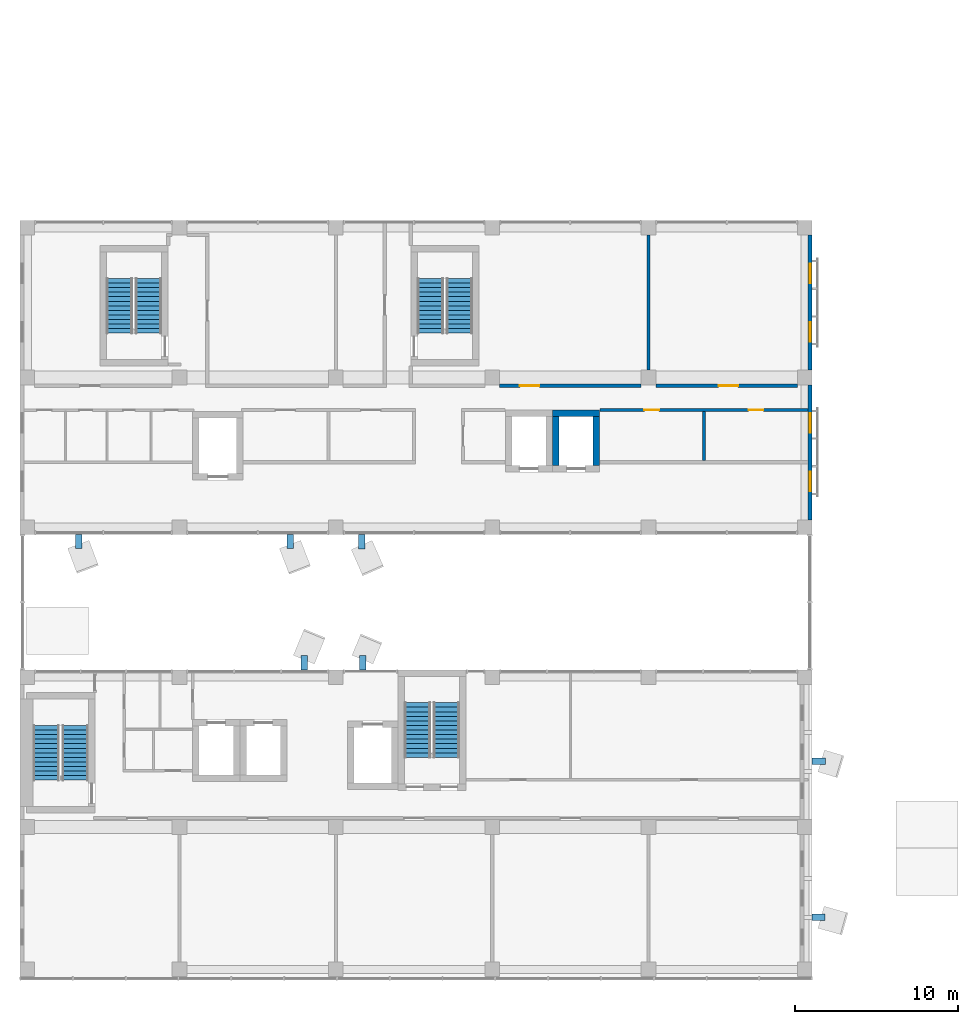
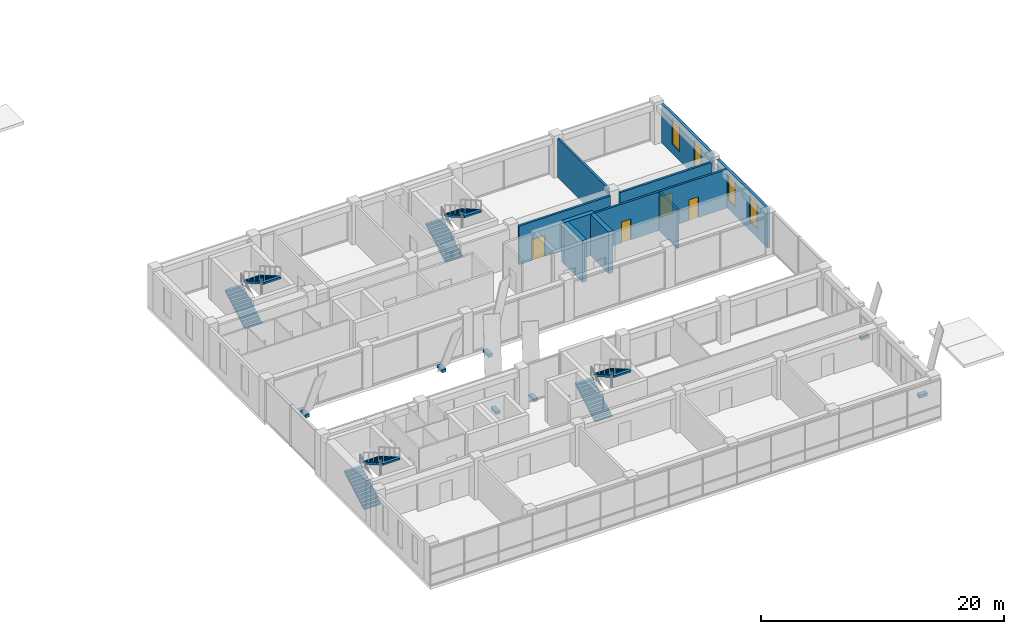
# One storey, part 29 of 36: 10 walls, 8 stair flights, 7 discrete accessories, 4 doors, 4 windows, 8 openings, 4 elements without a shape of their own.
"""IFC4 building model written with IfcOpenShell, lengths in metres."""

from ifc_helpers import new_model, si_unit, direction, frame, frame_2d, origin, origin_2d, place, context, subcontext, project, spatial, polyline, rectangle, outline, extrude, material, layer, layer_set, layer_usage, type_object, element, fill, aggregate, save


model = new_model("IFC4")

# Units and contexts
model_context = context("Model", 3, precision=1e-05, world=origin(), true_north=direction((0.0, 1.0)))
body_context = subcontext(model_context, "Body", "Model", "MODEL_VIEW")
ifc_project = project(units=[si_unit("LENGTHUNIT", "METRE"), si_unit("AREAUNIT", "SQUARE_METRE"), si_unit("VOLUMEUNIT", "CUBIC_METRE"), si_unit("PLANEANGLEUNIT", "RADIAN"), si_unit("MASSUNIT", "GRAM", prefix="KILO")], contexts=[model_context])

# Site, building, storey
site_placement = place(None, origin())
site = spatial("IfcSite", under=ifc_project, at=site_placement, CompositionType="ELEMENT")
building_placement = place(site_placement, origin())
building = spatial("IfcBuilding", under=site, at=building_placement, Name="Nzadi Deep Aquarium and Research Tower", CompositionType="ELEMENT")
storey_placement = place(building_placement, frame((0.0, 0.0, 36.10009765625)))
storey = spatial("IfcBuildingStorey", under=building, at=storey_placement, Name="L06", CompositionType="ELEMENT", Elevation=36.10009765625)

# Wall, openings, windows
ifc_material_1 = material(Name="Concrete C35/45", Category="concrete")
ifc_layer_1 = layer(ifc_material_1, 0.14990234375, Category="cladding")
ifc_material_2 = material(Name="Mineral wool insulation")
ifc_layer_2 = layer(ifc_material_2, 0.070068359375, Category="insulation")
ifc_material_3 = material(Name="Gypsum board lining")
ifc_layer_3 = layer(ifc_material_3, 0.030029296875, Category="lining")
ifc_layer_set_1 = layer_set([ifc_layer_1, ifc_layer_2, ifc_layer_3], Name="Concrete C35/45, Mineral wool insulation, Gypsum board lining")
ifc_layer_usage_1 = layer_usage(ifc_layer_set_1, "AXIS2", "POSITIVE", -0.125)
wall_type_1 = type_object("IfcWallType", Name="End wall board-formed concrete 250", PredefinedType="ELEMENTEDWALL", material=ifc_layer_set_1)
wall_1_placement = place(storey_placement, frame((48.324951171875, 37.25, 0.0), z_axis=(0.0, 0.0, 1.0), x_axis=(0.0, 1.0, 0.0)))
wall_1 = element("IfcWall", 1, at=wall_1_placement, inside=storey, type_object=wall_type_1, material=ifc_layer_usage_1, Name="End wall blade B east L06", PredefinedType="ELEMENTEDWALL", context=body_context, shape_type="SweptSolid", body=[
    extrude(rectangle(XDim=8.300048828125, YDim=0.25, at=frame_2d((4.14990234375, 0.0))), origin(), (0.0, 0.0, 1.0), 3.89990234375),
])
opening_1_placement = place(wall_1_placement, frame((1.75, 0.0, 0.89990234375)))
opening_1 = element("IfcOpeningElement", 2, at=opening_1_placement, cuts=wall_1, Name="Opening WN04", PredefinedType="OPENING", context=body_context, shape_type="SweptSolid", body=[
    extrude(rectangle(XDim=1.199951171875, YDim=2.60009765625, at=frame_2d((0.60009765625, 1.300048828125))), frame((0.0, 0.135009765625, 0.0), z_axis=(0.0, -1.0, 0.0), x_axis=(1.0, 0.0, 0.0)), (0.0, 0.0, 1.0), 0.27001953125),
])
opening_2_placement = place(wall_1_placement, frame((5.35009765625, 0.0, 0.89990234375)))
opening_2 = element("IfcOpeningElement", 3, at=opening_2_placement, cuts=wall_1, Name="Opening WN04", PredefinedType="OPENING", context=body_context, shape_type="SweptSolid", body=[
    extrude(rectangle(XDim=1.199951171875, YDim=2.60009765625, at=frame_2d((0.60009765625, 1.300048828125))), frame((0.0, 0.135009765625, 0.0), z_axis=(0.0, -1.0, 0.0), x_axis=(1.0, 0.0, 0.0)), (0.0, 0.0, 1.0), 0.27001953125),
])
ifc_material_4 = material(Name="Aluminium window, sage tint glazing", Category="aluminium")
window_type = type_object("IfcWindowType", Name="Slot window 1200x2600 sill 900", PartitioningType="SINGLE_PANEL", PredefinedType="WINDOW", material=ifc_material_4)
window_1_placement = place(opening_1_placement, origin())
window_1 = element("IfcWindow", 4, at=window_1_placement, inside=storey, type_object=window_type, Name="Slot window L06 BE", OverallHeight=2.60009765625, OverallWidth=1.199951171875, PartitioningType="SINGLE_PANEL", PredefinedType="WINDOW", context=body_context, shape_type="SweptSolid", body=[
    extrude(rectangle(XDim=1.199951171875, YDim=2.60009765625, at=frame_2d((0.60009765625, 1.300048828125))), frame((0.0, 0.030029296875, 0.0), z_axis=(0.0, -1.0, 0.0), x_axis=(1.0, 0.0, 0.0)), (0.0, 0.0, 1.0), 0.06005859375),
])
fill(opening_1, window_1)
window_2_placement = place(opening_2_placement, origin())
window_2 = element("IfcWindow", 5, at=window_2_placement, inside=storey, type_object=window_type, Name="Slot window L06 BE", OverallHeight=2.60009765625, OverallWidth=1.199951171875, PartitioningType="SINGLE_PANEL", PredefinedType="WINDOW", context=body_context, shape_type="SweptSolid", body=[
    extrude(rectangle(XDim=1.199951171875, YDim=2.60009765625, at=frame_2d((0.60009765625, 1.300048828125))), frame((0.0, 0.030029296875, 0.0), z_axis=(0.0, -1.0, 0.0), x_axis=(1.0, 0.0, 0.0)), (0.0, 0.0, 1.0), 0.06005859375),
])
fill(opening_2, window_2)

ifc_material_5 = material(Name="Graphite aluminium shingle", Category="aluminium")
ifc_layer_4 = layer(ifc_material_5, 0.050048828125, Category="cladding")
ifc_layer_5 = layer(ifc_material_1, 0.10009765625, Category="cladding")
ifc_layer_6 = layer(ifc_material_2, 0.070068359375, Category="insulation")
ifc_layer_7 = layer(ifc_material_3, 0.030029296875, Category="lining")
ifc_layer_set_2 = layer_set([ifc_layer_4, ifc_layer_5, ifc_layer_6, ifc_layer_7], Name="Graphite aluminium shingle, Concrete C35/45, Mineral wool insulation, Gypsum board lining")
ifc_layer_usage_2 = layer_usage(ifc_layer_set_2, "AXIS2", "POSITIVE", -0.125)
wall_type_2 = type_object("IfcWallType", Name="End wall shingle over board-formed concrete 250", PredefinedType="ELEMENTEDWALL", material=ifc_layer_set_2)
wall_2_placement = place(storey_placement, frame((48.324951171875, 28.050048828125, 0.0), z_axis=(0.0, 0.0, 1.0), x_axis=(0.0, 1.0, 0.0)))
wall_2 = element("IfcWall", 6, at=wall_2_placement, inside=storey, type_object=wall_type_2, material=ifc_layer_usage_2, Name="End wall blade B east L06", PredefinedType="ELEMENTEDWALL", context=body_context, shape_type="SweptSolid", body=[
    extrude(rectangle(XDim=8.300048828125, YDim=0.25, at=frame_2d((4.14990234375, 0.0))), origin(), (0.0, 0.0, 1.0), 3.89990234375),
])
opening_3_placement = place(wall_2_placement, frame((1.75, 0.0, 0.89990234375)))
opening_3 = element("IfcOpeningElement", 7, at=opening_3_placement, cuts=wall_2, Name="Opening WN04", PredefinedType="OPENING", context=body_context, shape_type="SweptSolid", body=[
    extrude(rectangle(XDim=1.199951171875, YDim=2.60009765625, at=frame_2d((0.60009765625, 1.300048828125))), frame((0.0, 0.135009765625, 0.0), z_axis=(0.0, -1.0, 0.0), x_axis=(1.0, 0.0, 0.0)), (0.0, 0.0, 1.0), 0.27001953125),
])
opening_4_placement = place(wall_2_placement, frame((5.35009765625, 0.0, 0.89990234375)))
opening_4 = element("IfcOpeningElement", 8, at=opening_4_placement, cuts=wall_2, Name="Opening WN04", PredefinedType="OPENING", context=body_context, shape_type="SweptSolid", body=[
    extrude(rectangle(XDim=1.199951171875, YDim=2.60009765625, at=frame_2d((0.60009765625, 1.300048828125))), frame((0.0, 0.135009765625, 0.0), z_axis=(0.0, -1.0, 0.0), x_axis=(1.0, 0.0, 0.0)), (0.0, 0.0, 1.0), 0.27001953125),
])
window_3_placement = place(opening_3_placement, origin())
window_3 = element("IfcWindow", 9, at=window_3_placement, inside=storey, type_object=window_type, Name="Slot window L06 BE", OverallHeight=2.60009765625, OverallWidth=1.199951171875, PartitioningType="SINGLE_PANEL", PredefinedType="WINDOW", context=body_context, shape_type="SweptSolid", body=[
    extrude(rectangle(XDim=1.199951171875, YDim=2.60009765625, at=frame_2d((0.60009765625, 1.300048828125))), frame((0.0, 0.030029296875, 0.0), z_axis=(0.0, -1.0, 0.0), x_axis=(1.0, 0.0, 0.0)), (0.0, 0.0, 1.0), 0.06005859375),
])
fill(opening_3, window_3)
window_4_placement = place(opening_4_placement, origin())
window_4 = element("IfcWindow", 10, at=window_4_placement, inside=storey, type_object=window_type, Name="Slot window L06 BE", OverallHeight=2.60009765625, OverallWidth=1.199951171875, PartitioningType="SINGLE_PANEL", PredefinedType="WINDOW", context=body_context, shape_type="SweptSolid", body=[
    extrude(rectangle(XDim=1.199951171875, YDim=2.60009765625, at=frame_2d((0.60009765625, 1.300048828125))), frame((0.0, 0.030029296875, 0.0), z_axis=(0.0, -1.0, 0.0), x_axis=(1.0, 0.0, 0.0)), (0.0, 0.0, 1.0), 0.06005859375),
])
fill(opening_4, window_4)

# Wall, opening, door
ifc_material_6 = material(Name="Blockwork masonry", Category="masonry")
ifc_layer_8 = layer(ifc_material_6, 0.199951171875)
ifc_layer_set_3 = layer_set([ifc_layer_8], Name="Blockwork masonry")
wall_type_3 = type_object("IfcWallType", Name="Partition 200 EI 120", PredefinedType="PARTITIONING", material=ifc_layer_set_3)
wall_3_placement = place(storey_placement, frame((29.25, 36.300048828125, 0.0), z_axis=(0.0, 0.0, 1.0), x_axis=(1.0, 0.0, 0.0)))
wall_3 = element("IfcWall", 11, at=wall_3_placement, inside=storey, type_object=wall_type_3, Name="W-Z1-L06-P038", PredefinedType="PARTITIONING", context=body_context, shape_type="SweptSolid", body=[
    extrude(rectangle(XDim=8.699951171875, YDim=0.199951171875, at=frame_2d((4.35009765625, 0.0))), origin(), (0.0, 0.0, 1.0), 3.89990234375),
])
opening_5_placement = place(wall_3_placement, frame((1.25, 0.0, 0.0)))
opening_5 = element("IfcOpeningElement", 12, at=opening_5_placement, cuts=wall_3, Name="Opening D071025", PredefinedType="OPENING", context=body_context, shape_type="SweptSolid", body=[
    extrude(rectangle(XDim=1.199951171875, YDim=2.10009765625, at=frame_2d((0.60009765625, 1.050048828125))), frame((0.0, 0.110107421875, 0.0), z_axis=(0.0, -1.0, 0.0), x_axis=(1.0, 0.0, 0.0)), (0.0, 0.0, 1.0), 0.22021484375),
])
ifc_material_7 = material(Name="Fire-rated steel door", Category="steel")
ifc_layer_9 = layer(ifc_material_7, 0.050048828125)
ifc_layer_set_4 = layer_set([ifc_layer_9], Name="Fire-rated steel door")
door_type_1 = type_object("IfcDoorType", Name="Door 1200x2100 EI 120 single", OperationType="SINGLE_SWING_LEFT", PredefinedType="DOOR", material=ifc_layer_set_4)
door_1_placement = place(opening_5_placement, origin())
door_1 = element("IfcDoor", 13, at=door_1_placement, inside=storey, type_object=door_type_1, Name="D071025", OperationType="SINGLE_SWING_LEFT", OverallHeight=2.10009765625, OverallWidth=1.199951171875, PredefinedType="DOOR", context=body_context, shape_type="SweptSolid", body=[
    extrude(rectangle(XDim=1.199951171875, YDim=2.10009765625, at=frame_2d((0.60009765625, 1.050048828125))), frame((0.0, 0.02490234375, 0.0), z_axis=(0.0, -1.0, 0.0), x_axis=(1.0, 0.0, 0.0)), (0.0, 0.0, 1.0), 0.050048828125),
])
fill(opening_5, door_1)

# Wall, openings, doors
wall_4_placement = place(storey_placement, frame((35.406005859375, 34.800048828125, 0.0), z_axis=(0.0, 0.0, 1.0), x_axis=(1.0, 0.0, 0.0)))
wall_4 = element("IfcWall", 14, at=wall_4_placement, inside=storey, type_object=wall_type_3, Name="W-Z1-L06-P041", PredefinedType="PARTITIONING", context=body_context, shape_type="SweptSolid", body=[
    extrude(rectangle(XDim=12.7880859375, YDim=0.199951171875, at=frame_2d((6.39404296875, 0.0))), origin(), (0.0, 0.0, 1.0), 3.89990234375),
])
opening_6_placement = place(wall_4_placement, frame((2.743896484375, 0.0, 0.0)))
opening_6 = element("IfcOpeningElement", 15, at=opening_6_placement, cuts=wall_4, Name="Opening D071020", PredefinedType="OPENING", context=body_context, shape_type="SweptSolid", body=[
    extrude(rectangle(XDim=0.89990234375, YDim=2.10009765625, at=frame_2d((0.449951171875, 1.050048828125))), frame((0.0, 0.110107421875, 0.0), z_axis=(0.0, -1.0, 0.0), x_axis=(1.0, 0.0, 0.0)), (0.0, 0.0, 1.0), 0.22021484375),
])
opening_7_placement = place(wall_4_placement, frame((9.14404296875, 0.0, 0.0)))
opening_7 = element("IfcOpeningElement", 16, at=opening_7_placement, cuts=wall_4, Name="Opening D071021", PredefinedType="OPENING", context=body_context, shape_type="SweptSolid", body=[
    extrude(rectangle(XDim=0.89990234375, YDim=2.10009765625, at=frame_2d((0.449951171875, 1.050048828125))), frame((0.0, 0.110107421875, 0.0), z_axis=(0.0, -1.0, 0.0), x_axis=(1.0, 0.0, 0.0)), (0.0, 0.0, 1.0), 0.22021484375),
])
ifc_material_8 = material(Name="Fire-rated steel door", Category="steel")
ifc_layer_10 = layer(ifc_material_8, 0.050048828125)
ifc_layer_set_5 = layer_set([ifc_layer_10], Name="Fire-rated steel door")
door_type_2 = type_object("IfcDoorType", Name="Door 900x2100 EI 120 single", OperationType="SINGLE_SWING_LEFT", PredefinedType="DOOR", material=ifc_layer_set_5)
door_2_placement = place(opening_6_placement, origin())
door_2 = element("IfcDoor", 17, at=door_2_placement, inside=storey, type_object=door_type_2, Name="D071020", OperationType="SINGLE_SWING_RIGHT", OverallHeight=2.10009765625, OverallWidth=0.89990234375, PredefinedType="DOOR", context=body_context, shape_type="SweptSolid", body=[
    extrude(rectangle(XDim=0.89990234375, YDim=2.10009765625, at=frame_2d((0.449951171875, 1.050048828125))), frame((0.0, 0.02490234375, 0.0), z_axis=(0.0, -1.0, 0.0), x_axis=(1.0, 0.0, 0.0)), (0.0, 0.0, 1.0), 0.050048828125),
])
fill(opening_6, door_2)
door_3_placement = place(opening_7_placement, origin())
door_3 = element("IfcDoor", 18, at=door_3_placement, inside=storey, type_object=door_type_2, Name="D071021", OperationType="SINGLE_SWING_LEFT", OverallHeight=2.10009765625, OverallWidth=0.89990234375, PredefinedType="DOOR", context=body_context, shape_type="SweptSolid", body=[
    extrude(rectangle(XDim=0.89990234375, YDim=2.10009765625, at=frame_2d((0.449951171875, 1.050048828125))), frame((0.0, 0.02490234375, 0.0), z_axis=(0.0, -1.0, 0.0), x_axis=(1.0, 0.0, 0.0)), (0.0, 0.0, 1.0), 0.050048828125),
])
fill(opening_7, door_3)

# Wall
wall_5_placement = place(storey_placement, frame((38.39990234375, 37.25, 0.0), z_axis=(0.0, 0.0, 1.0), x_axis=(0.0, 1.0, 0.0)))
element("IfcWall", 19, at=wall_5_placement, inside=storey, type_object=wall_type_3, Name="W-Z1-L06-P043", PredefinedType="PARTITIONING", context=body_context, shape_type="SweptSolid", body=[
    extrude(rectangle(XDim=8.300048828125, YDim=0.199951171875, at=frame_2d((4.14990234375, 0.0))), origin(), (0.0, 0.0, 1.0), 3.89990234375),
])

# Wall, opening, door
wall_6_placement = place(storey_placement, frame((38.85009765625, 36.300048828125, 0.0), z_axis=(0.0, 0.0, 1.0), x_axis=(1.0, 0.0, 0.0)))
wall_6 = element("IfcWall", 20, at=wall_6_placement, inside=storey, type_object=wall_type_3, Name="W-Z1-L06-P044", PredefinedType="PARTITIONING", context=body_context, shape_type="SweptSolid", body=[
    extrude(rectangle(XDim=8.699951171875, YDim=0.199951171875, at=frame_2d((4.35009765625, 0.0))), origin(), (0.0, 0.0, 1.0), 3.89990234375),
])
opening_8_placement = place(wall_6_placement, frame((3.85009765625, 0.0, 0.0)))
opening_8 = element("IfcOpeningElement", 21, at=opening_8_placement, cuts=wall_6, Name="Opening D071026", PredefinedType="OPENING", context=body_context, shape_type="SweptSolid", body=[
    extrude(rectangle(XDim=1.199951171875, YDim=2.10009765625, at=frame_2d((0.60009765625, 1.050048828125))), frame((0.0, 0.110107421875, 0.0), z_axis=(0.0, -1.0, 0.0), x_axis=(1.0, 0.0, 0.0)), (0.0, 0.0, 1.0), 0.22021484375),
])
door_4_placement = place(opening_8_placement, origin())
door_4 = element("IfcDoor", 22, at=door_4_placement, inside=storey, type_object=door_type_1, Name="D071026", OperationType="SINGLE_SWING_RIGHT", OverallHeight=2.10009765625, OverallWidth=1.199951171875, PredefinedType="DOOR", context=body_context, shape_type="SweptSolid", body=[
    extrude(rectangle(XDim=1.199951171875, YDim=2.10009765625, at=frame_2d((0.60009765625, 1.050048828125))), frame((0.0, 0.02490234375, 0.0), z_axis=(0.0, -1.0, 0.0), x_axis=(1.0, 0.0, 0.0)), (0.0, 0.0, 1.0), 0.050048828125),
])
fill(opening_8, door_4)

# Walls
wall_7_placement = place(storey_placement, frame((41.800048828125, 31.699951171875, 0.0), z_axis=(0.0, 0.0, 1.0), x_axis=(0.0, 1.0, 0.0)))
element("IfcWall", 23, at=wall_7_placement, inside=storey, type_object=wall_type_3, Name="W-Z1-L06-P045", PredefinedType="PARTITIONING", context=body_context, shape_type="SweptSolid", body=[
    extrude(rectangle(XDim=3.0, YDim=0.199951171875, at=frame_2d((1.5, 0.0))), origin(), (0.0, 0.0, 1.0), 3.89990234375),
])
ifc_material_9 = material(Name="Concrete C35/45", Category="concrete")
ifc_layer_11 = layer(ifc_material_9, 0.39990234375)
ifc_layer_set_6 = layer_set([ifc_layer_11], Name="Concrete C35/45")
wall_type_4 = type_object("IfcWallType", Name="RC core wall 400", PredefinedType="SHEAR", material=ifc_layer_set_6)
wall_8_placement = place(storey_placement, frame((32.5, 34.60009765625, 0.0), z_axis=(0.0, 0.0, 1.0), x_axis=(1.0, 0.0, 0.0)))
element("IfcWall", 24, at=wall_8_placement, inside=storey, type_object=wall_type_4, Name="W-CORE-TL4-L06-N", PredefinedType="SHEAR", context=body_context, shape_type="SweptSolid", body=[
    extrude(rectangle(XDim=2.89990234375, YDim=0.39990234375, at=frame_2d((1.449951171875, 0.0))), origin(), (0.0, 0.0, 1.0), 4.199951171875),
])
for number, where, z_axis, x_axis, name in (
    (25, (32.699951171875, 31.39990234375, 0.0), (0.0, 0.0, 1.0), (0.0, 1.0, 0.0), "W-CORE-TL4-L06-W"),
    (26, (35.199951171875, 31.39990234375, 0.0), (0.0, 0.0, 1.0), (0.0, 1.0, 0.0), "W-CORE-TL4-L06-E"),
):
    element("IfcWall", number, at=place(storey_placement, frame(where, z_axis=z_axis, x_axis=x_axis)), inside=storey, type_object=wall_type_4, Name=name, PredefinedType="SHEAR", context=body_context, shape_type="SweptSolid", body=[
        extrude(rectangle(XDim=3.0, YDim=0.39990234375, at=frame_2d((1.5, 0.0))), origin(), (0.0, 0.0, 1.0), 4.199951171875),
    ])

# Stair, stair flights
ifc_material_10 = material(Name="Concrete C35/45", Category="concrete")
stair_type = type_object("IfcStairType", Name="STAIR RETURN 3000", PredefinedType="NOTDEFINED", material=ifc_material_10)
stair_1_placement = place(storey_placement, origin())
stair_1 = element("IfcStair", 27, at=stair_1_placement, inside=storey, type_object=stair_type, Name="Stair ST-Z1-SW L06", PredefinedType="HALF_TURN_STAIR")
ifc_material_11 = material(Name="Concrete C35/45", Category="concrete")
stair_flight_type = type_object("IfcStairFlightType", Name="FLIGHT 1625 13 RISERS 161.5 GOING 280", PredefinedType="STRAIGHT", material=ifc_material_11)
stair_flight_1_placement = place(storey_placement, frame((1.41259765625, 12.070068359375, 0.0), z_axis=(0.0, 0.0, 1.0), x_axis=(0.0, 1.0, 0.0)))
stair_flight_1 = element("IfcStairFlight", 28, at=stair_flight_1_placement, type_object=stair_flight_type, Name="ST-Z1-SW flight 1", NumberOfRisers=13, NumberOfTreads=12, PredefinedType="STRAIGHT", RiserHeight=0.161538462, TreadLength=0.28, context=body_context, shape_type="SweptSolid", body=[
    extrude(outline(polyline([(0.0, 0.0), (0.0, 0.16162109375), (0.280029296875, 0.16162109375), (0.280029296875, 0.322998046875), (0.56005859375, 0.322998046875), (0.56005859375, 0.484619140625), (0.840087890625, 0.484619140625), (0.840087890625, 0.646240234375), (1.1201171875, 0.646240234375), (1.1201171875, 0.8076171875), (1.39990234375, 0.8076171875), (1.39990234375, 0.96923828125), (1.679931640625, 0.96923828125), (1.679931640625, 1.130859375), (1.9599609375, 1.130859375), (1.9599609375, 1.292236328125), (2.239990234375, 1.292236328125), (2.239990234375, 1.453857421875), (2.52001953125, 1.453857421875), (2.52001953125, 1.615478515625), (2.800048828125, 1.615478515625), (2.800048828125, 1.77685546875), (3.080078125, 1.77685546875), (3.080078125, 1.9384765625), (3.360107421875, 1.9384765625), (3.360107421875, 2.10009765625), (3.360107421875, 1.765380859375), (0.300048828125, 0.0), (0.0, 0.0)])), frame((0.0, 0.8125, 0.0), z_axis=(0.0, -1.0, 0.0), x_axis=(1.0, 0.0, 0.0)), (0.0, 0.0, 1.0), 1.625),
])
stair_flight_2_placement = place(storey_placement, frame((3.1875, 15.429931640625, 2.099853515625), z_axis=(0.0, 0.0, 1.0), x_axis=(0.0, -1.0, 0.0)))
stair_flight_2 = element("IfcStairFlight", 29, at=stair_flight_2_placement, type_object=stair_flight_type, Name="ST-Z1-SW flight 2", NumberOfRisers=13, NumberOfTreads=12, PredefinedType="STRAIGHT", RiserHeight=0.161538462, TreadLength=0.28, context=body_context, shape_type="SweptSolid", body=[
    extrude(outline(polyline([(0.0, 0.0), (0.0, 0.16162109375), (0.280029296875, 0.16162109375), (0.280029296875, 0.322998046875), (0.56005859375, 0.322998046875), (0.56005859375, 0.484619140625), (0.840087890625, 0.484619140625), (0.840087890625, 0.646240234375), (1.1201171875, 0.646240234375), (1.1201171875, 0.8076171875), (1.39990234375, 0.8076171875), (1.39990234375, 0.96923828125), (1.679931640625, 0.96923828125), (1.679931640625, 1.130859375), (1.9599609375, 1.130859375), (1.9599609375, 1.292236328125), (2.239990234375, 1.292236328125), (2.239990234375, 1.453857421875), (2.52001953125, 1.453857421875), (2.52001953125, 1.615478515625), (2.800048828125, 1.615478515625), (2.800048828125, 1.77685546875), (3.080078125, 1.77685546875), (3.080078125, 1.9384765625), (3.360107421875, 1.9384765625), (3.360107421875, 2.10009765625), (3.360107421875, 1.765380859375), (0.300048828125, 0.0), (0.0, 0.0)])), frame((0.0, 0.8125, 0.0), z_axis=(0.0, -1.0, 0.0), x_axis=(1.0, 0.0, 0.0)), (0.0, 0.0, 1.0), 1.625),
])
aggregate(stair_1, [stair_flight_1, stair_flight_2])

stair_2_placement = place(storey_placement, origin())
stair_2 = element("IfcStair", 30, at=stair_2_placement, inside=storey, type_object=stair_type, Name="Stair ST-Z1-SE L06", PredefinedType="HALF_TURN_STAIR")
stair_flight_3_placement = place(storey_placement, frame((24.21240234375, 13.469970703125, 0.0), z_axis=(0.0, 0.0, 1.0), x_axis=(0.0, 1.0, 0.0)))
stair_flight_3 = element("IfcStairFlight", 31, at=stair_flight_3_placement, type_object=stair_flight_type, Name="ST-Z1-SE flight 1", NumberOfRisers=13, NumberOfTreads=12, PredefinedType="STRAIGHT", RiserHeight=0.161538462, TreadLength=0.28, context=body_context, shape_type="SweptSolid", body=[
    extrude(outline(polyline([(0.0, 0.0), (0.0, 0.16162109375), (0.280029296875, 0.16162109375), (0.280029296875, 0.322998046875), (0.56005859375, 0.322998046875), (0.56005859375, 0.484619140625), (0.840087890625, 0.484619140625), (0.840087890625, 0.646240234375), (1.1201171875, 0.646240234375), (1.1201171875, 0.8076171875), (1.39990234375, 0.8076171875), (1.39990234375, 0.96923828125), (1.679931640625, 0.96923828125), (1.679931640625, 1.130859375), (1.9599609375, 1.130859375), (1.9599609375, 1.292236328125), (2.239990234375, 1.292236328125), (2.239990234375, 1.453857421875), (2.52001953125, 1.453857421875), (2.52001953125, 1.615478515625), (2.800048828125, 1.615478515625), (2.800048828125, 1.77685546875), (3.080078125, 1.77685546875), (3.080078125, 1.9384765625), (3.360107421875, 1.9384765625), (3.360107421875, 2.10009765625), (3.360107421875, 1.765380859375), (0.300048828125, 0.0), (0.0, 0.0)])), frame((0.0, 0.8125, 0.0), z_axis=(0.0, -1.0, 0.0), x_axis=(1.0, 0.0, 0.0)), (0.0, 0.0, 1.0), 1.625),
])
stair_flight_4_placement = place(storey_placement, frame((25.987548828125, 16.830078125, 2.099853515625), z_axis=(0.0, 0.0, 1.0), x_axis=(0.0, -1.0, 0.0)))
stair_flight_4 = element("IfcStairFlight", 32, at=stair_flight_4_placement, type_object=stair_flight_type, Name="ST-Z1-SE flight 2", NumberOfRisers=13, NumberOfTreads=12, PredefinedType="STRAIGHT", RiserHeight=0.161538462, TreadLength=0.28, context=body_context, shape_type="SweptSolid", body=[
    extrude(outline(polyline([(0.0, 0.0), (0.0, 0.16162109375), (0.280029296875, 0.16162109375), (0.280029296875, 0.322998046875), (0.56005859375, 0.322998046875), (0.56005859375, 0.484619140625), (0.840087890625, 0.484619140625), (0.840087890625, 0.646240234375), (1.1201171875, 0.646240234375), (1.1201171875, 0.8076171875), (1.39990234375, 0.8076171875), (1.39990234375, 0.96923828125), (1.679931640625, 0.96923828125), (1.679931640625, 1.130859375), (1.9599609375, 1.130859375), (1.9599609375, 1.292236328125), (2.239990234375, 1.292236328125), (2.239990234375, 1.453857421875), (2.52001953125, 1.453857421875), (2.52001953125, 1.615478515625), (2.800048828125, 1.615478515625), (2.800048828125, 1.77685546875), (3.080078125, 1.77685546875), (3.080078125, 1.9384765625), (3.360107421875, 1.9384765625), (3.360107421875, 2.10009765625), (3.360107421875, 1.765380859375), (0.300048828125, 0.0), (0.0, 0.0)])), frame((0.0, 0.8125, 0.0), z_axis=(0.0, -1.0, 0.0), x_axis=(1.0, 0.0, 0.0)), (0.0, 0.0, 1.0), 1.625),
])
aggregate(stair_2, [stair_flight_3, stair_flight_4])

stair_3_placement = place(storey_placement, origin())
stair_3 = element("IfcStair", 33, at=stair_3_placement, inside=storey, type_object=stair_type, Name="Stair ST-Z1-NW L06", PredefinedType="HALF_TURN_STAIR")
stair_flight_5_placement = place(storey_placement, frame((5.91259765625, 39.52001953125, 0.0), z_axis=(0.0, 0.0, 1.0), x_axis=(0.0, 1.0, 0.0)))
stair_flight_5 = element("IfcStairFlight", 34, at=stair_flight_5_placement, type_object=stair_flight_type, Name="ST-Z1-NW flight 1", NumberOfRisers=13, NumberOfTreads=12, PredefinedType="STRAIGHT", RiserHeight=0.161538462, TreadLength=0.28, context=body_context, shape_type="SweptSolid", body=[
    extrude(outline(polyline([(0.0, 0.0), (0.0, 0.16162109375), (0.280029296875, 0.16162109375), (0.280029296875, 0.322998046875), (0.56005859375, 0.322998046875), (0.56005859375, 0.484619140625), (0.840087890625, 0.484619140625), (0.840087890625, 0.646240234375), (1.1201171875, 0.646240234375), (1.1201171875, 0.8076171875), (1.39990234375, 0.8076171875), (1.39990234375, 0.96923828125), (1.679931640625, 0.96923828125), (1.679931640625, 1.130859375), (1.9599609375, 1.130859375), (1.9599609375, 1.292236328125), (2.239990234375, 1.292236328125), (2.239990234375, 1.453857421875), (2.52001953125, 1.453857421875), (2.52001953125, 1.615478515625), (2.800048828125, 1.615478515625), (2.800048828125, 1.77685546875), (3.080078125, 1.77685546875), (3.080078125, 1.9384765625), (3.360107421875, 1.9384765625), (3.360107421875, 2.10009765625), (3.360107421875, 1.765380859375), (0.300048828125, 0.0), (0.0, 0.0)])), frame((0.0, 0.8125, 0.0), z_axis=(0.0, -1.0, 0.0), x_axis=(1.0, 0.0, 0.0)), (0.0, 0.0, 1.0), 1.625),
])
stair_flight_6_placement = place(storey_placement, frame((7.6875, 42.8798828125, 2.099853515625), z_axis=(0.0, 0.0, 1.0), x_axis=(0.0, -1.0, 0.0)))
stair_flight_6 = element("IfcStairFlight", 35, at=stair_flight_6_placement, type_object=stair_flight_type, Name="ST-Z1-NW flight 2", NumberOfRisers=13, NumberOfTreads=12, PredefinedType="STRAIGHT", RiserHeight=0.161538462, TreadLength=0.28, context=body_context, shape_type="SweptSolid", body=[
    extrude(outline(polyline([(0.0, 0.0), (0.0, 0.16162109375), (0.280029296875, 0.16162109375), (0.280029296875, 0.322998046875), (0.56005859375, 0.322998046875), (0.56005859375, 0.484619140625), (0.840087890625, 0.484619140625), (0.840087890625, 0.646240234375), (1.1201171875, 0.646240234375), (1.1201171875, 0.8076171875), (1.39990234375, 0.8076171875), (1.39990234375, 0.96923828125), (1.679931640625, 0.96923828125), (1.679931640625, 1.130859375), (1.9599609375, 1.130859375), (1.9599609375, 1.292236328125), (2.239990234375, 1.292236328125), (2.239990234375, 1.453857421875), (2.52001953125, 1.453857421875), (2.52001953125, 1.615478515625), (2.800048828125, 1.615478515625), (2.800048828125, 1.77685546875), (3.080078125, 1.77685546875), (3.080078125, 1.9384765625), (3.360107421875, 1.9384765625), (3.360107421875, 2.10009765625), (3.360107421875, 1.765380859375), (0.300048828125, 0.0), (0.0, 0.0)])), frame((0.0, 0.8125, 0.0), z_axis=(0.0, -1.0, 0.0), x_axis=(1.0, 0.0, 0.0)), (0.0, 0.0, 1.0), 1.625),
])
aggregate(stair_3, [stair_flight_5, stair_flight_6])

stair_4_placement = place(storey_placement, origin())
stair_4 = element("IfcStair", 36, at=stair_4_placement, inside=storey, type_object=stair_type, Name="Stair ST-Z1-NE L06", PredefinedType="HALF_TURN_STAIR")
stair_flight_7_placement = place(storey_placement, frame((25.012451171875, 39.52001953125, 0.0), z_axis=(0.0, 0.0, 1.0), x_axis=(0.0, 1.0, 0.0)))
stair_flight_7 = element("IfcStairFlight", 37, at=stair_flight_7_placement, type_object=stair_flight_type, Name="ST-Z1-NE flight 1", NumberOfRisers=13, NumberOfTreads=12, PredefinedType="STRAIGHT", RiserHeight=0.161538462, TreadLength=0.28, context=body_context, shape_type="SweptSolid", body=[
    extrude(outline(polyline([(0.0, 0.0), (0.0, 0.16162109375), (0.280029296875, 0.16162109375), (0.280029296875, 0.322998046875), (0.56005859375, 0.322998046875), (0.56005859375, 0.484619140625), (0.840087890625, 0.484619140625), (0.840087890625, 0.646240234375), (1.1201171875, 0.646240234375), (1.1201171875, 0.8076171875), (1.39990234375, 0.8076171875), (1.39990234375, 0.96923828125), (1.679931640625, 0.96923828125), (1.679931640625, 1.130859375), (1.9599609375, 1.130859375), (1.9599609375, 1.292236328125), (2.239990234375, 1.292236328125), (2.239990234375, 1.453857421875), (2.52001953125, 1.453857421875), (2.52001953125, 1.615478515625), (2.800048828125, 1.615478515625), (2.800048828125, 1.77685546875), (3.080078125, 1.77685546875), (3.080078125, 1.9384765625), (3.360107421875, 1.9384765625), (3.360107421875, 2.10009765625), (3.360107421875, 1.765380859375), (0.300048828125, 0.0), (0.0, 0.0)])), frame((0.0, 0.8125, 0.0), z_axis=(0.0, -1.0, 0.0), x_axis=(1.0, 0.0, 0.0)), (0.0, 0.0, 1.0), 1.625),
])
stair_flight_8_placement = place(storey_placement, frame((26.78759765625, 42.8798828125, 2.099853515625), z_axis=(0.0, 0.0, 1.0), x_axis=(0.0, -1.0, 0.0)))
stair_flight_8 = element("IfcStairFlight", 38, at=stair_flight_8_placement, type_object=stair_flight_type, Name="ST-Z1-NE flight 2", NumberOfRisers=13, NumberOfTreads=12, PredefinedType="STRAIGHT", RiserHeight=0.161538462, TreadLength=0.28, context=body_context, shape_type="SweptSolid", body=[
    extrude(outline(polyline([(0.0, 0.0), (0.0, 0.16162109375), (0.280029296875, 0.16162109375), (0.280029296875, 0.322998046875), (0.56005859375, 0.322998046875), (0.56005859375, 0.484619140625), (0.840087890625, 0.484619140625), (0.840087890625, 0.646240234375), (1.1201171875, 0.646240234375), (1.1201171875, 0.8076171875), (1.39990234375, 0.8076171875), (1.39990234375, 0.96923828125), (1.679931640625, 0.96923828125), (1.679931640625, 1.130859375), (1.9599609375, 1.130859375), (1.9599609375, 1.292236328125), (2.239990234375, 1.292236328125), (2.239990234375, 1.453857421875), (2.52001953125, 1.453857421875), (2.52001953125, 1.615478515625), (2.800048828125, 1.615478515625), (2.800048828125, 1.77685546875), (3.080078125, 1.77685546875), (3.080078125, 1.9384765625), (3.360107421875, 1.9384765625), (3.360107421875, 2.10009765625), (3.360107421875, 1.765380859375), (0.300048828125, 0.0), (0.0, 0.0)])), frame((0.0, 0.8125, 0.0), z_axis=(0.0, -1.0, 0.0), x_axis=(1.0, 0.0, 0.0)), (0.0, 0.0, 1.0), 1.625),
])
aggregate(stair_4, [stair_flight_7, stair_flight_8])

# Discrete accessories
discrete_accessory_1_placement = place(storey_placement, frame((48.843994140625, 3.639892578125, -0.30029296875), z_axis=(0.0, 0.0, 1.0), x_axis=(1.0, 0.0, 0.0)))
element("IfcDiscreteAccessory", 39, at=discrete_accessory_1_placement, inside=storey, Name="Fold blade bracket", PredefinedType="BRACKET", context=body_context, shape_type="SweptSolid", body=[
    extrude(rectangle(XDim=0.7880859375, YDim=0.39990234375, at=origin_2d()), origin(), (0.0, 0.0, 1.0), 0.300048828125),
])
discrete_accessory_2_placement = place(storey_placement, frame((48.8505859375, 13.239990234375, -0.30029296875), z_axis=(0.0, 0.0, 1.0), x_axis=(1.0, 0.0, 0.0)))
element("IfcDiscreteAccessory", 40, at=discrete_accessory_2_placement, inside=storey, Name="Fold blade bracket", PredefinedType="BRACKET", context=body_context, shape_type="SweptSolid", body=[
    extrude(rectangle(XDim=0.80126953125, YDim=0.39990234375, at=origin_2d()), origin(), (0.0, 0.0, 1.0), 0.300048828125),
])
discrete_accessory_3_placement = place(storey_placement, frame((17.25, 19.283935546875, -0.30029296875), z_axis=(0.0, 0.0, 1.0), x_axis=(1.0, 0.0, 0.0)))
element("IfcDiscreteAccessory", 41, at=discrete_accessory_3_placement, inside=storey, Name="Fold blade bracket", PredefinedType="BRACKET", context=body_context, shape_type="SweptSolid", body=[
    extrude(rectangle(XDim=0.39990234375, YDim=0.867919921875, at=origin_2d()), origin(), (0.0, 0.0, 1.0), 0.300048828125),
])
discrete_accessory_4_placement = place(storey_placement, frame((20.85009765625, 19.28564453125, -0.30029296875), z_axis=(0.0, 0.0, 1.0), x_axis=(1.0, 0.0, 0.0)))
element("IfcDiscreteAccessory", 42, at=discrete_accessory_4_placement, inside=storey, Name="Fold blade bracket", PredefinedType="BRACKET", context=body_context, shape_type="SweptSolid", body=[
    extrude(rectangle(XDim=0.39990234375, YDim=0.871337890625, at=origin_2d()), origin(), (0.0, 0.0, 1.0), 0.300048828125),
])
discrete_accessory_5_placement = place(storey_placement, frame((3.39990234375, 26.726806640625, -0.30029296875), z_axis=(0.0, 0.0, 1.0), x_axis=(1.0, 0.0, 0.0)))
element("IfcDiscreteAccessory", 43, at=discrete_accessory_5_placement, inside=storey, Name="Fold blade bracket", PredefinedType="BRACKET", context=body_context, shape_type="SweptSolid", body=[
    extrude(rectangle(XDim=0.39990234375, YDim=0.84619140625, at=origin_2d()), origin(), (0.0, 0.0, 1.0), 0.300048828125),
])
discrete_accessory_6_placement = place(storey_placement, frame((16.39990234375, 26.72412109375, -0.30029296875), z_axis=(0.0, 0.0, 1.0), x_axis=(1.0, 0.0, 0.0)))
element("IfcDiscreteAccessory", 44, at=discrete_accessory_6_placement, inside=storey, Name="Fold blade bracket", PredefinedType="BRACKET", context=body_context, shape_type="SweptSolid", body=[
    extrude(rectangle(XDim=0.39990234375, YDim=0.85205078125, at=origin_2d()), origin(), (0.0, 0.0, 1.0), 0.300048828125),
])
discrete_accessory_7_placement = place(storey_placement, frame((20.800048828125, 26.708740234375, -0.30029296875), z_axis=(0.0, 0.0, 1.0), x_axis=(1.0, 0.0, 0.0)))
element("IfcDiscreteAccessory", 45, at=discrete_accessory_7_placement, inside=storey, Name="Fold blade bracket", PredefinedType="BRACKET", context=body_context, shape_type="SweptSolid", body=[
    extrude(rectangle(XDim=0.39990234375, YDim=0.882568359375, at=origin_2d()), origin(), (0.0, 0.0, 1.0), 0.300048828125),
])

save(model, "model.ifc")
